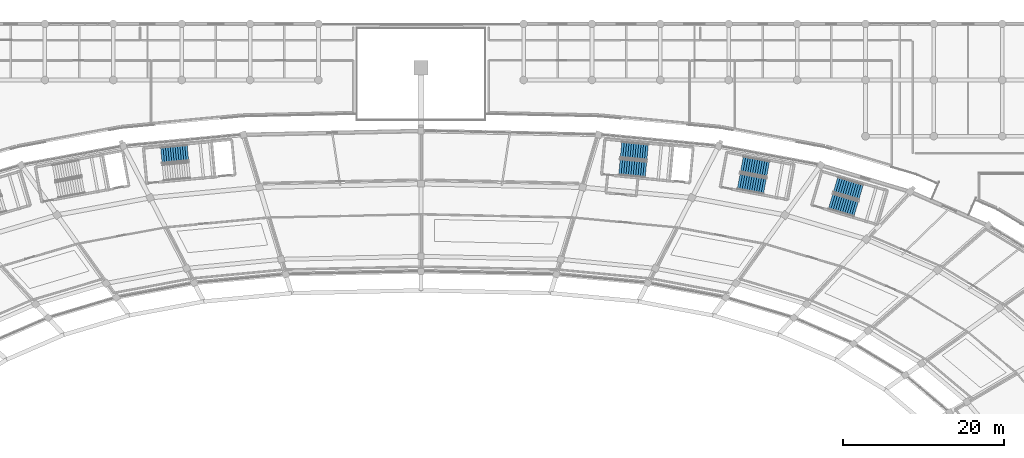
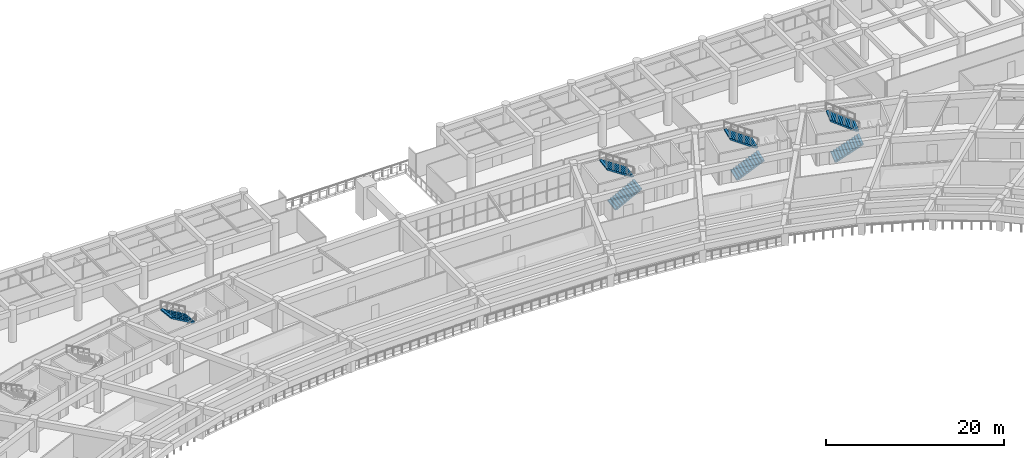
# One storey, part 116 of 145: 7 stair flights, 4 elements without a shape of their own.
"""IFC4 building model written with IfcOpenShell, lengths in metres."""

from ifc_helpers import new_model, si_unit, direction, frame, origin, place, context, subcontext, project, spatial, polyline, outline, extrude, material, type_object, element, aggregate, save


model = new_model("IFC4")

# Units and contexts
model_context = context("Model", 3, precision=1e-05, world=origin(), true_north=direction((0.0, 1.0)))
body_context = subcontext(model_context, "Body", "Model", "MODEL_VIEW")
ifc_project = project(units=[si_unit("LENGTHUNIT", "METRE"), si_unit("AREAUNIT", "SQUARE_METRE"), si_unit("VOLUMEUNIT", "CUBIC_METRE"), si_unit("PLANEANGLEUNIT", "RADIAN"), si_unit("MASSUNIT", "GRAM", prefix="KILO")], contexts=[model_context])

# Site, building, storey
site_placement = place(None, origin())
site = spatial("IfcSite", under=ifc_project, at=site_placement, CompositionType="ELEMENT")
building_placement = place(site_placement, origin())
building = spatial("IfcBuilding", under=site, at=building_placement, Name="Mphavela Belvedere Stadium", CompositionType="ELEMENT")
storey_placement = place(building_placement, frame((0.0, 0.0, 10.199951171875)))
storey = spatial("IfcBuildingStorey", under=building, at=storey_placement, Name="L02", CompositionType="ELEMENT", Elevation=10.199951171875)

# Stair, stair flights
ifc_material_1 = material(Name="Concrete C40/50", Category="concrete")
stair_type_1 = type_object("IfcStairType", Name="STR-HALF-TURN-3", PredefinedType="HALF_TURN_STAIR", material=ifc_material_1)
stair_1_placement = place(storey_placement, origin())
stair_1 = element("IfcStair", 1, at=stair_1_placement, inside=storey, type_object=stair_type_1, Name="L02 Escape stair core C03", PredefinedType="HALF_TURN_STAIR")
ifc_material_2 = material(Name="Concrete C40/50", Category="concrete")
stair_flight_type = type_object("IfcStairFlightType", Name="SFL-CORE-152", PredefinedType="STRAIGHT", material=ifc_material_2)
stair_flight_1_placement = place(storey_placement, frame((139.716796875, 156.15625, 0.0), z_axis=(0.0, 0.0, 1.0), x_axis=(0.995479460536, -0.094977069084, 0.0)))
stair_flight_1 = element("IfcStairFlight", 2, at=stair_flight_1_placement, type_object=stair_flight_type, Name="ST-C03 flight 1", NumberOfRisers=12, NumberOfTreads=11, PredefinedType="STRAIGHT", RiserHeight=0.1875, TreadLength=0.302, context=body_context, shape_type="SweptSolid", body=[
    extrude(outline(polyline([(0.0, 0.0), (0.0, 0.1875), (0.302001953125, 0.1875), (0.302001953125, 0.375), (0.60400390625, 0.375), (0.60400390625, 0.5625), (0.906005859375, 0.5625), (0.906005859375, 0.75), (1.2080078125, 0.75), (1.2080078125, 0.9375), (1.510009765625, 0.9375), (1.510009765625, 1.125), (1.81201171875, 1.125), (1.81201171875, 1.3125), (2.114013671875, 1.3125), (2.114013671875, 1.5), (2.416015625, 1.5), (2.416015625, 1.6875), (2.718017578125, 1.6875), (2.718017578125, 1.875), (3.02001953125, 1.875), (3.02001953125, 2.0625), (3.322021484375, 2.0625), (3.322021484375, 2.25), (3.322021484375, 1.885986328125), (0.2841796875, 0.0), (0.0, 0.0)])), frame((0.0, 1.010009765625, 0.0), z_axis=(0.0, -1.0, 0.0), x_axis=(1.0, 0.0, 0.0)), (0.0, 0.0, 1.0), 2.02001953125),
])
stair_flight_2_placement = place(storey_placement, frame((143.22998046875, 158.0009765625, 2.25), z_axis=(0.0, 0.0, 1.0), x_axis=(-0.995479460536, 0.094977069084, 0.0)))
stair_flight_2 = element("IfcStairFlight", 3, at=stair_flight_2_placement, type_object=stair_flight_type, Name="ST-C03 flight 2", NumberOfRisers=12, NumberOfTreads=11, PredefinedType="STRAIGHT", RiserHeight=0.1875, TreadLength=0.302, context=body_context, shape_type="SweptSolid", body=[
    extrude(outline(polyline([(0.0, 0.0), (0.0, 0.1875), (0.302001953125, 0.1875), (0.302001953125, 0.375), (0.60400390625, 0.375), (0.60400390625, 0.5625), (0.906005859375, 0.5625), (0.906005859375, 0.75), (1.2080078125, 0.75), (1.2080078125, 0.9375), (1.510009765625, 0.9375), (1.510009765625, 1.125), (1.81201171875, 1.125), (1.81201171875, 1.3125), (2.114013671875, 1.3125), (2.114013671875, 1.5), (2.416015625, 1.5), (2.416015625, 1.6875), (2.718017578125, 1.6875), (2.718017578125, 1.875), (3.02001953125, 1.875), (3.02001953125, 2.0625), (3.322021484375, 2.0625), (3.322021484375, 2.25), (3.322021484375, 1.885986328125), (0.2841796875, 0.0), (0.0, 0.0)])), frame((0.0, 1.010009765625, 0.0), z_axis=(0.0, -1.0, 0.0), x_axis=(1.0, 0.0, 0.0)), (0.0, 0.0, 1.0), 2.02001953125),
])
aggregate(stair_1, [stair_flight_1, stair_flight_2])

# Stair, stair flight
ifc_material_3 = material(Name="Concrete C40/50", Category="concrete")
stair_type_2 = type_object("IfcStairType", Name="STR-HALF-TURN-1", PredefinedType="HALF_TURN_STAIR", material=ifc_material_3)
stair_2_placement = place(storey_placement, origin())
stair_2 = element("IfcStair", 4, at=stair_2_placement, inside=storey, type_object=stair_type_2, Name="L02 Escape stair core C04", PredefinedType="HALF_TURN_STAIR")
stair_flight_3_placement = place(storey_placement, frame((85.957763671875, 157.92333984375, 2.25), z_axis=(0.0, 0.0, 1.0), x_axis=(-0.995479460536, -0.094977069084, 0.0)))
stair_flight_3 = element("IfcStairFlight", 5, at=stair_flight_3_placement, type_object=stair_flight_type, Name="ST-C04 flight 2", NumberOfRisers=12, NumberOfTreads=11, PredefinedType="STRAIGHT", RiserHeight=0.1875, TreadLength=0.302, context=body_context, shape_type="SweptSolid", body=[
    extrude(outline(polyline([(0.0, 0.0), (0.0, 0.1875), (0.302001953125, 0.1875), (0.302001953125, 0.375), (0.60400390625, 0.375), (0.60400390625, 0.5625), (0.906005859375, 0.5625), (0.906005859375, 0.75), (1.2080078125, 0.75), (1.2080078125, 0.9375), (1.510009765625, 0.9375), (1.510009765625, 1.125), (1.81201171875, 1.125), (1.81201171875, 1.3125), (2.114013671875, 1.3125), (2.114013671875, 1.5), (2.416015625, 1.5), (2.416015625, 1.6875), (2.718017578125, 1.6875), (2.718017578125, 1.875), (3.02001953125, 1.875), (3.02001953125, 2.0625), (3.322021484375, 2.0625), (3.322021484375, 2.25), (3.322021484375, 1.885986328125), (0.2841796875, 0.0), (0.0, 0.0)])), frame((0.0, 1.010009765625, 0.0), z_axis=(0.0, -1.0, 0.0), x_axis=(1.0, 0.0, 0.0)), (0.0, 0.0, 1.0), 2.02001953125),
])
aggregate(stair_2, [stair_flight_3])

# Stair, stair flights
ifc_material_4 = material(Name="Precast concrete C45/55", Category="concrete")
stair_type_3 = type_object("IfcStairType", Name="STR-TWO-RET-1", PredefinedType="TWO_STRAIGHT_RUN_STAIR", material=ifc_material_4)
stair_3_placement = place(storey_placement, origin())
stair_3 = element("IfcStair", 6, at=stair_3_placement, inside=storey, type_object=stair_type_3, Name="L02 Escape stair core P01", PredefinedType="TWO_STRAIGHT_RUN_STAIR")
stair_flight_4_placement = place(storey_placement, frame((166.023681640625, 151.8837890625, 0.0), z_axis=(0.0, 0.0, 1.0), x_axis=(0.958670893355, -0.284517342588, 0.0)))
stair_flight_4 = element("IfcStairFlight", 7, at=stair_flight_4_placement, type_object=stair_flight_type, Name="ST-P01 flight 1", NumberOfRisers=12, NumberOfTreads=11, PredefinedType="STRAIGHT", RiserHeight=0.1875, TreadLength=0.302, context=body_context, shape_type="SweptSolid", body=[
    extrude(outline(polyline([(0.0, 0.0), (0.0, 0.1875), (0.302001953125, 0.1875), (0.302001953125, 0.375), (0.60400390625, 0.375), (0.60400390625, 0.5625), (0.906005859375, 0.5625), (0.906005859375, 0.75), (1.2080078125, 0.75), (1.2080078125, 0.9375), (1.510009765625, 0.9375), (1.510009765625, 1.125), (1.81201171875, 1.125), (1.81201171875, 1.3125), (2.114013671875, 1.3125), (2.114013671875, 1.5), (2.416015625, 1.5), (2.416015625, 1.6875), (2.718017578125, 1.6875), (2.718017578125, 1.875), (3.02001953125, 1.875), (3.02001953125, 2.0625), (3.322021484375, 2.0625), (3.322021484375, 2.25), (3.322021484375, 1.885986328125), (0.2841796875, 0.0), (0.0, 0.0)])), frame((0.0, 1.010009765625, 0.0), z_axis=(0.0, -1.0, 0.0), x_axis=(1.0, 0.0, 0.0)), (0.0, 0.0, 1.0), 2.02001953125),
])
stair_flight_5_placement = place(storey_placement, frame((169.825927734375, 153.018798828125, 2.25), z_axis=(0.0, 0.0, 1.0), x_axis=(-0.958670893355, 0.284517342588, 0.0)))
stair_flight_5 = element("IfcStairFlight", 8, at=stair_flight_5_placement, type_object=stair_flight_type, Name="ST-P01 flight 2", NumberOfRisers=12, NumberOfTreads=11, PredefinedType="STRAIGHT", RiserHeight=0.1875, TreadLength=0.302, context=body_context, shape_type="SweptSolid", body=[
    extrude(outline(polyline([(0.0, 0.0), (0.0, 0.1875), (0.302001953125, 0.1875), (0.302001953125, 0.375), (0.60400390625, 0.375), (0.60400390625, 0.5625), (0.906005859375, 0.5625), (0.906005859375, 0.75), (1.2080078125, 0.75), (1.2080078125, 0.9375), (1.510009765625, 0.9375), (1.510009765625, 1.125), (1.81201171875, 1.125), (1.81201171875, 1.3125), (2.114013671875, 1.3125), (2.114013671875, 1.5), (2.416015625, 1.5), (2.416015625, 1.6875), (2.718017578125, 1.6875), (2.718017578125, 1.875), (3.02001953125, 1.875), (3.02001953125, 2.0625), (3.322021484375, 2.0625), (3.322021484375, 2.25), (3.322021484375, 1.885986328125), (0.2841796875, 0.0), (0.0, 0.0)])), frame((0.0, 1.010009765625, 0.0), z_axis=(0.0, -1.0, 0.0), x_axis=(1.0, 0.0, 0.0)), (0.0, 0.0, 1.0), 2.02001953125),
])
aggregate(stair_3, [stair_flight_4, stair_flight_5])

ifc_material_5 = material(Name="Precast concrete C45/55", Category="concrete")
stair_type_4 = type_object("IfcStairType", Name="STR-TWO-RET-2", PredefinedType="TWO_STRAIGHT_RUN_STAIR", material=ifc_material_5)
stair_4_placement = place(storey_placement, origin())
stair_4 = element("IfcStair", 9, at=stair_4_placement, inside=storey, type_object=stair_type_4, Name="L02 Escape stair core P02", PredefinedType="TWO_STRAIGHT_RUN_STAIR")
stair_flight_6_placement = place(storey_placement, frame((154.577392578125, 154.377197265625, 0.0), z_axis=(0.0, 0.0, 1.0), x_axis=(0.983095502692, -0.183093507769, 0.0)))
stair_flight_6 = element("IfcStairFlight", 10, at=stair_flight_6_placement, type_object=stair_flight_type, Name="ST-P02 flight 1", NumberOfRisers=12, NumberOfTreads=11, PredefinedType="STRAIGHT", RiserHeight=0.1875, TreadLength=0.302, context=body_context, shape_type="SweptSolid", body=[
    extrude(outline(polyline([(0.0, 0.0), (0.0, 0.1875), (0.302001953125, 0.1875), (0.302001953125, 0.375), (0.60400390625, 0.375), (0.60400390625, 0.5625), (0.906005859375, 0.5625), (0.906005859375, 0.75), (1.2080078125, 0.75), (1.2080078125, 0.9375), (1.510009765625, 0.9375), (1.510009765625, 1.125), (1.81201171875, 1.125), (1.81201171875, 1.3125), (2.114013671875, 1.3125), (2.114013671875, 1.5), (2.416015625, 1.5), (2.416015625, 1.6875), (2.718017578125, 1.6875), (2.718017578125, 1.875), (3.02001953125, 1.875), (3.02001953125, 2.0625), (3.322021484375, 2.0625), (3.322021484375, 2.25), (3.322021484375, 1.885986328125), (0.2841796875, 0.0), (0.0, 0.0)])), frame((0.0, 1.010009765625, 0.0), z_axis=(0.0, -1.0, 0.0), x_axis=(1.0, 0.0, 0.0)), (0.0, 0.0, 1.0), 2.02001953125),
])
stair_flight_7_placement = place(storey_placement, frame((158.24072265625, 155.90234375, 2.25), z_axis=(0.0, 0.0, 1.0), x_axis=(-0.983095502692, 0.183093507769, 0.0)))
stair_flight_7 = element("IfcStairFlight", 11, at=stair_flight_7_placement, type_object=stair_flight_type, Name="ST-P02 flight 2", NumberOfRisers=12, NumberOfTreads=11, PredefinedType="STRAIGHT", RiserHeight=0.1875, TreadLength=0.302, context=body_context, shape_type="SweptSolid", body=[
    extrude(outline(polyline([(0.0, 0.0), (0.0, 0.1875), (0.302001953125, 0.1875), (0.302001953125, 0.375), (0.60400390625, 0.375), (0.60400390625, 0.5625), (0.906005859375, 0.5625), (0.906005859375, 0.75), (1.2080078125, 0.75), (1.2080078125, 0.9375), (1.510009765625, 0.9375), (1.510009765625, 1.125), (1.81201171875, 1.125), (1.81201171875, 1.3125), (2.114013671875, 1.3125), (2.114013671875, 1.5), (2.416015625, 1.5), (2.416015625, 1.6875), (2.718017578125, 1.6875), (2.718017578125, 1.875), (3.02001953125, 1.875), (3.02001953125, 2.0625), (3.322021484375, 2.0625), (3.322021484375, 2.25), (3.322021484375, 1.885986328125), (0.2841796875, 0.0), (0.0, 0.0)])), frame((0.0, 1.010009765625, 0.0), z_axis=(0.0, -1.0, 0.0), x_axis=(1.0, 0.0, 0.0)), (0.0, 0.0, 1.0), 2.02001953125),
])
aggregate(stair_4, [stair_flight_6, stair_flight_7])

save(model, "model.ifc")
